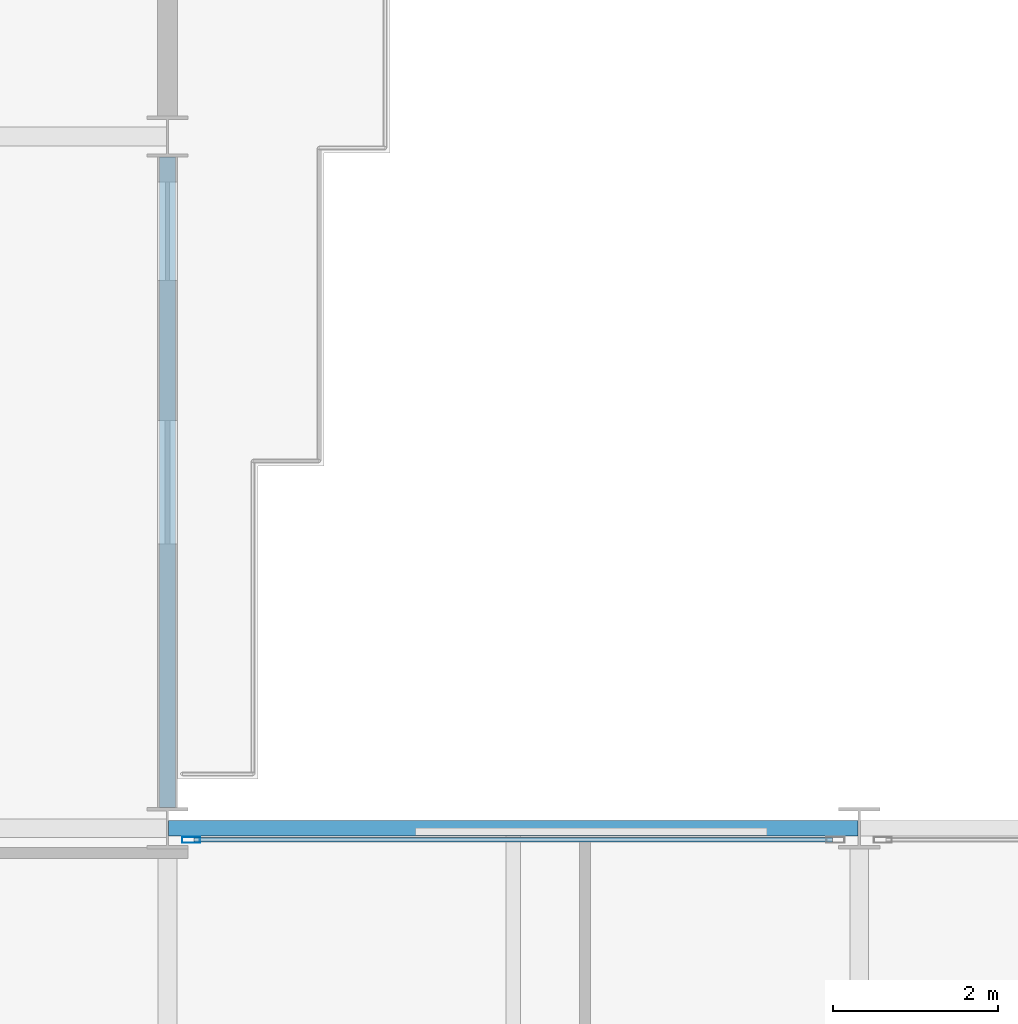
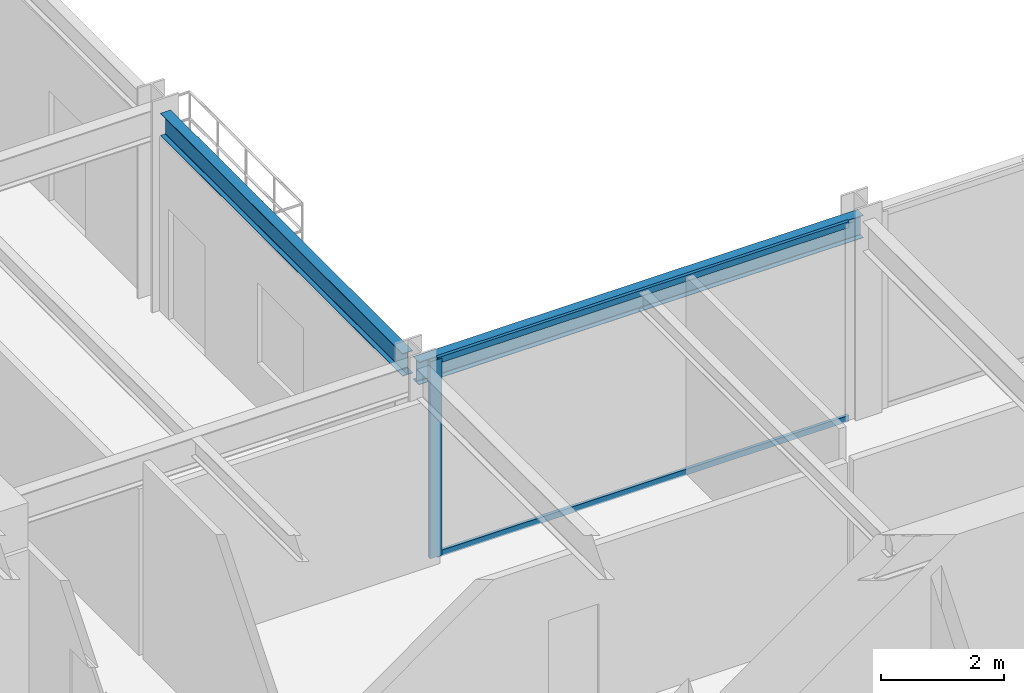
# One storey, part 8 of 24: 3 members, 2 beams, 1 element without a shape of its own.
"""IFC4 building model written with IfcOpenShell, lengths in metres."""

from ifc_helpers import new_model, si_unit, direction, frame, origin, origin_2d, place, context, subcontext, project, spatial, hollow_rectangle, i_section, extrude, material, layer, layer_set, material_profile, profile_set, type_object, element, aggregate, save


model = new_model("IFC4")

# Units and contexts
model_context = context("Model", 3, precision=1e-05, world=origin(), true_north=direction((0.0, 1.0)))
body_context = subcontext(model_context, "Body", "Model", "MODEL_VIEW")
ifc_project = project(units=[si_unit("LENGTHUNIT", "METRE"), si_unit("AREAUNIT", "SQUARE_METRE"), si_unit("VOLUMEUNIT", "CUBIC_METRE"), si_unit("PLANEANGLEUNIT", "RADIAN"), si_unit("MASSUNIT", "GRAM", prefix="KILO")], contexts=[model_context])

# Site, building, storey
site_placement = place(None, origin())
site = spatial("IfcSite", under=ifc_project, at=site_placement, CompositionType="ELEMENT")
building_placement = place(site_placement, origin())
building = spatial("IfcBuilding", under=site, at=building_placement, Name="Nerrivon Quay Data Exchange", CompositionType="ELEMENT")
storey_placement = place(building_placement, frame((0.0, 0.0, 45.800048828125)))
storey = spatial("IfcBuildingStorey", under=building, at=storey_placement, Name="L10", CompositionType="ELEMENT", Elevation=45.800048828125)

# Beams
ifc_material_1 = material(Name="Steel Grade 350", Category="steel")
ifc_material_profile_1 = material_profile(ifc_material_1, i_section(OverallWidth=0.18994140625, OverallDepth=0.4541015625, WebThickness=0.008544921875, FlangeThickness=0.0126953125, FilletRadius=0.011474609375, at=origin_2d()), Name="460UB67.1")
ifc_profile_set_1 = profile_set([ifc_material_profile_1], Name="Steel Grade 350")
beam_type = type_object("IfcBeamType", Name="BM-SP1-460UB67", PredefinedType="SPANDREL", material=ifc_profile_set_1)
beam_1_placement = place(storey_placement, frame((25.214111328125, 25.199951171875, 3.697998046875), z_axis=(1.0, 0.0, 0.0), x_axis=(0.0, 1.0, 0.0)))
element("IfcBeam", 1, at=beam_1_placement, inside=storey, type_object=beam_type, Name="L10 EW Girder Y=25.2 (25.2..33.6)", PredefinedType="SPANDREL", context=body_context, shape_type="SweptSolid", body=[
    extrude(i_section(OverallWidth=0.18994140625, OverallDepth=0.4541015625, WebThickness=0.008544921875, FlangeThickness=0.0126953125, FilletRadius=0.011474609375, at=origin_2d()), origin(), (0.0, 0.0, 1.0), 8.371826171875),
])
beam_2_placement = place(storey_placement, frame((25.199951171875, 25.449951171875, 3.697998046875), z_axis=(0.0, 1.0, 0.0), x_axis=(-1.0, 0.0, 0.0)))
element("IfcBeam", 2, at=beam_2_placement, inside=storey, type_object=beam_type, Name="L10 NS Girder X=25.2 (25.2..33.6)", PredefinedType="SPANDREL", context=body_context, shape_type="SweptSolid", body=[
    extrude(i_section(OverallWidth=0.18994140625, OverallDepth=0.4541015625, WebThickness=0.008544921875, FlangeThickness=0.0126953125, FilletRadius=0.011474609375, at=origin_2d()), origin(), (0.0, 0.0, 1.0), 7.900146484375),
])

# Curtain wall, members
ifc_material_2 = material(Name="Anodised aluminium 6063-T6", Category="aluminium")
ifc_layer = layer(ifc_material_2, 0.219970703125)
ifc_layer_set = layer_set([ifc_layer], Name="Anodised aluminium 6063-T6")
curtain_wall_type = type_object("IfcCurtainWallType", Name="CW-SYS-01", PredefinedType="NOTDEFINED", material=ifc_layer_set)
curtain_wall_placement = place(storey_placement, origin())
curtain_wall = element("IfcCurtainWall", 3, at=curtain_wall_placement, inside=storey, type_object=curtain_wall_type, Name="L10 Unitised Curtain Wall 28", PredefinedType="NOTDEFINED")
ifc_material_profile_2 = material_profile(ifc_material_2, hollow_rectangle(XDim=0.074951171875, YDim=0.219970703125, WallThickness=0.00390625, at=origin_2d()), Name="ALU-MULL-220x75")
ifc_profile_set_2 = profile_set([ifc_material_profile_2], Name="Anodised aluminium 6063-T6")
member_type_1 = type_object("IfcMemberType", Name="CWM-220x75", PredefinedType="MULLION", material=ifc_profile_set_2)
member_1_placement = place(storey_placement, frame((25.487548828125, 25.06005859375, 0.0), z_axis=(0.0, 0.0, 1.0), x_axis=(0.0, 1.0, 0.0)))
member_1 = element("IfcMember", 4, at=member_1_placement, type_object=member_type_1, Name="CW01 mullion 1", PredefinedType="MULLION", context=body_context, shape_type="SweptSolid", body=[
    extrude(hollow_rectangle(XDim=0.074951171875, YDim=0.219970703125, WallThickness=0.00390625, at=origin_2d()), origin(), (0.0, 0.0, 1.0), 3.925048828125),
])
ifc_material_profile_3 = material_profile(ifc_material_2, hollow_rectangle(XDim=0.06005859375, YDim=0.1201171875, WallThickness=0.003173828125, at=origin_2d()), Name="ALU-TRAN-120x60")
ifc_profile_set_3 = profile_set([ifc_material_profile_3], Name="Anodised aluminium 6063-T6")
member_type_2 = type_object("IfcMemberType", Name="CWT-120x60", PredefinedType="USERDEFINED", material=ifc_profile_set_3)
member_2_placement = place(storey_placement, frame((25.52490234375, 25.06005859375, 0.032470703125), z_axis=(1.0, 0.0, 0.0), x_axis=(0.0, 1.0, 0.0)))
member_2 = element("IfcMember", 5, at=member_2_placement, type_object=member_type_2, Name="CW01 transom 1.1", ObjectType="TRANSOM", PredefinedType="USERDEFINED", context=body_context, shape_type="SweptSolid", body=[
    extrude(hollow_rectangle(XDim=0.06005859375, YDim=0.1201171875, WallThickness=0.003173828125, at=origin_2d()), origin(), (0.0, 0.0, 1.0), 7.75),
])
member_3_placement = place(storey_placement, frame((25.52490234375, 25.06005859375, 3.892333984375), z_axis=(1.0, 0.0, 0.0), x_axis=(0.0, 1.0, 0.0)))
member_3 = element("IfcMember", 6, at=member_3_placement, type_object=member_type_2, Name="CW01 transom 1.2", ObjectType="TRANSOM", PredefinedType="USERDEFINED", context=body_context, shape_type="SweptSolid", body=[
    extrude(hollow_rectangle(XDim=0.06005859375, YDim=0.1201171875, WallThickness=0.003173828125, at=origin_2d()), origin(), (0.0, 0.0, 1.0), 7.75),
])
aggregate(curtain_wall, [member_1, member_2, member_3])

save(model, "model.ifc")
